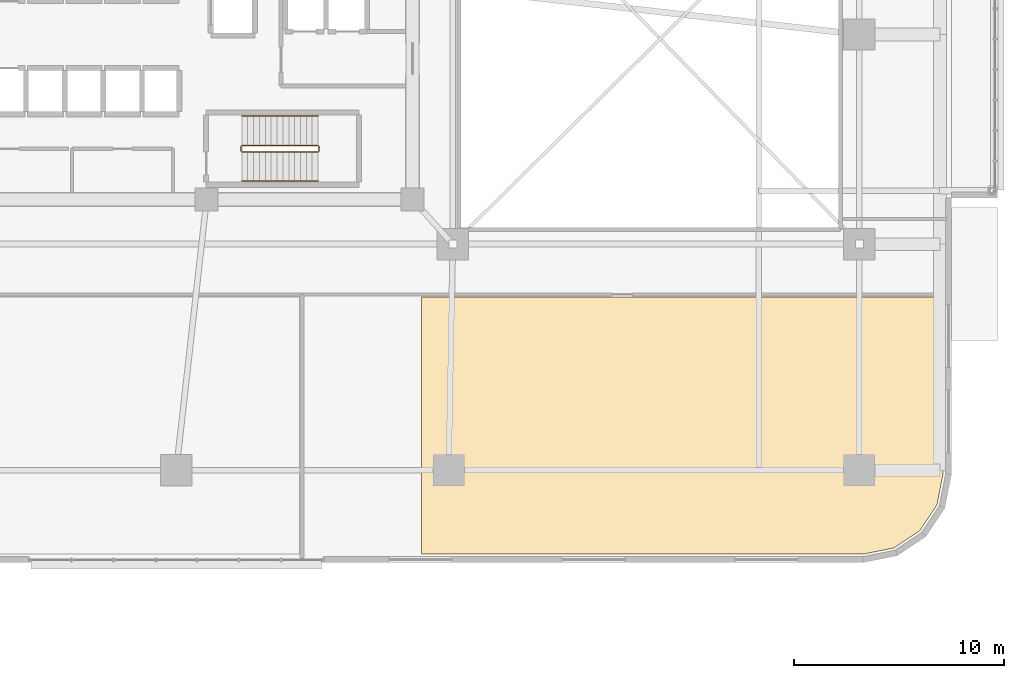
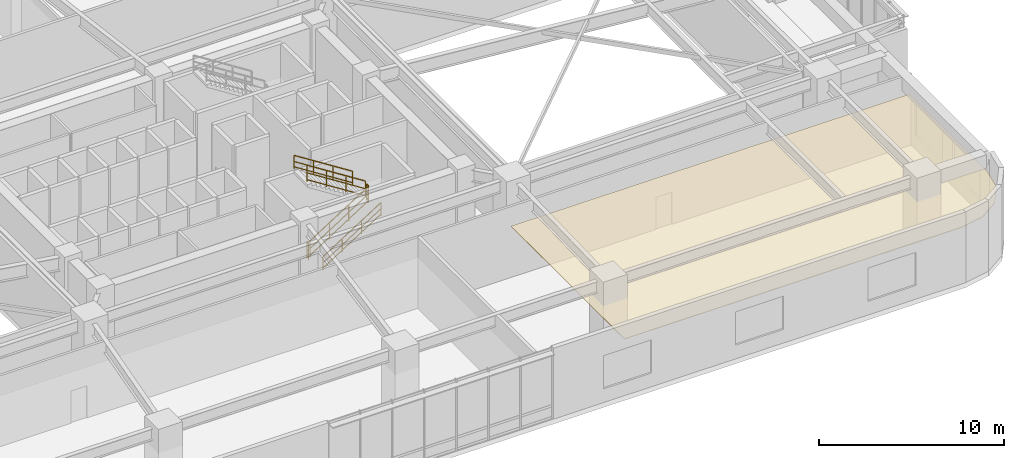
# One storey, part 24 of 26: 6 railings, 1 covering.
"""IFC4 building model written with IfcOpenShell, lengths in metres."""

from ifc_helpers import new_model, si_unit, direction, frame, origin, origin_2d, place, context, subcontext, project, spatial, polyline, rectangle, outline, extrude, material, layer, layer_set, type_object, element, save


model = new_model("IFC4")

# Units and contexts
model_context = context("Model", 3, precision=1e-05, world=origin(), true_north=direction((0.0, 1.0)))
body_context = subcontext(model_context, "Body", "Model", "MODEL_VIEW")
ifc_project = project(units=[si_unit("LENGTHUNIT", "METRE"), si_unit("AREAUNIT", "SQUARE_METRE"), si_unit("VOLUMEUNIT", "CUBIC_METRE"), si_unit("PLANEANGLEUNIT", "RADIAN"), si_unit("MASSUNIT", "GRAM", prefix="KILO")], contexts=[model_context])

# Site, building, storey
site_placement = place(None, origin())
site = spatial("IfcSite", under=ifc_project, at=site_placement, CompositionType="ELEMENT")
building_placement = place(site_placement, origin())
building = spatial("IfcBuilding", under=site, at=building_placement, Name="Zulverin Broadcast Headquarters", CompositionType="ELEMENT")
storey_placement = place(building_placement, frame((0.0, 0.0, 15.0)))
storey = spatial("IfcBuildingStorey", under=building, at=storey_placement, Name="L03", CompositionType="ELEMENT", Elevation=15.0)

# Covering
ifc_material_1 = material(Name="Perforated pale-metal acoustic baffle ceiling", Category="aluminium")
ifc_layer = layer(ifc_material_1, 0.0400390625, Name="Perforated pale-metal acoustic baffle ceiling", Category="aluminium")
ifc_layer_set = layer_set([ifc_layer], Name="Perforated pale-metal acoustic baffle ceiling")
covering_type = type_object("IfcCoveringType", Name="COV-CEIL-ACOU", PredefinedType="CEILING", material=ifc_layer_set)
covering_placement = place(storey_placement, frame((0.0, 0.0, 3.389892578125)))
element("IfcCovering", 1, at=covering_placement, inside=storey, type_object=covering_type, Name="L03 Acoustic Baffle Ceiling 02", PredefinedType="CEILING", context=body_context, shape_type="SweptSolid", body=[
    extrude(outline(polyline([(48.699951171875, 12.679931640625), (48.699951171875, 0.39990234375), (69.760009765625, 0.39990234375), (71.251953125, 0.696044921875), (72.47998046875, 1.52001953125), (73.303955078125, 2.748046875), (73.60009765625, 4.239990234375), (73.60009765625, 12.679931640625), (48.699951171875, 12.679931640625)])), origin(), (0.0, 0.0, 1.0), 0.0400390625),
])

# Railings
ifc_material_2 = material(Name="Painted galvanized steel tubular guardrail S355JR", Category="steel")
railing_type_1 = type_object("IfcRailingType", Name="RL-ST-GUARD", PredefinedType="GUARDRAIL", material=ifc_material_2)
railing_1_placement = place(storey_placement, frame((40.1298828125, 19.60009765625, 0.178466796875)))
element("IfcRailing", 2, at=railing_1_placement, inside=storey, type_object=railing_type_1, Name="L03 ST-2 stair guard 1", PredefinedType="GUARDRAIL", context=body_context, shape_type="SweptSolid", body=[
    extrude(rectangle(XDim=0.048095703125, YDim=0.048095703125, at=origin_2d()), frame((0.0, 0.0, 1.076171875), z_axis=(0.843127859045, 0.0, 0.537713132908), x_axis=(0.0, 1.0, 0.0)), (0.0, 0.0, 1.0), 4.3173828125),
    extrude(rectangle(XDim=0.0419921875, YDim=0.0419921875, at=origin_2d()), frame((0.0, 0.0, 0.572021484375), z_axis=(0.843127859045, 0.0, 0.537713132908), x_axis=(0.0, 1.0, 0.0)), (0.0, 0.0, 1.0), 4.3173828125),
    extrude(rectangle(XDim=0.0419921875, YDim=0.0419921875, at=origin_2d()), frame((0.0, 0.0, 0.1201171875), z_axis=(0.843127859045, 0.0, 0.537713132908), x_axis=(0.0, 1.0, 0.0)), (0.0, 0.0, 1.0), 4.3173828125),
    extrude(rectangle(XDim=0.0419921875, YDim=0.0419921875, at=origin_2d()), origin(), (0.0, 0.0, 1.0), 1.052001953125),
    extrude(rectangle(XDim=0.0419921875, YDim=0.0419921875, at=origin_2d()), frame((1.21337890625, 0.0, 0.77392578125)), (0.0, 0.0, 1.0), 1.052001953125),
    extrude(rectangle(XDim=0.0419921875, YDim=0.0419921875, at=origin_2d()), frame((2.4267578125, 0.0, 1.547607421875)), (0.0, 0.0, 1.0), 1.052001953125),
    extrude(rectangle(XDim=0.0419921875, YDim=0.0419921875, at=origin_2d()), frame((3.64013671875, 0.0, 2.321533203125)), (0.0, 0.0, 1.0), 1.052001953125),
])
railing_2_placement = place(storey_placement, frame((43.820068359375, 19.64990234375, 2.5)))
element("IfcRailing", 3, at=railing_2_placement, inside=storey, type_object=railing_type_1, Name="L03 ST-2 stair guard 2", PredefinedType="GUARDRAIL", context=body_context, shape_type="SweptSolid", body=[
    extrude(rectangle(XDim=0.048095703125, YDim=0.048095703125, at=origin_2d()), frame((0.0, 0.0, 1.076171875), z_axis=(0.0, 1.0, 0.0), x_axis=(-1.0, 0.0, 0.0)), (0.0, 0.0, 1.0), 0.2001953125),
    extrude(rectangle(XDim=0.0419921875, YDim=0.0419921875, at=origin_2d()), frame((0.0, 0.0, 0.572021484375), z_axis=(0.0, 1.0, 0.0), x_axis=(-1.0, 0.0, 0.0)), (0.0, 0.0, 1.0), 0.2001953125),
    extrude(rectangle(XDim=0.0419921875, YDim=0.0419921875, at=origin_2d()), frame((0.0, 0.0, 0.1201171875), z_axis=(0.0, 1.0, 0.0), x_axis=(-1.0, 0.0, 0.0)), (0.0, 0.0, 1.0), 0.2001953125),
    extrude(rectangle(XDim=0.0419921875, YDim=0.0419921875, at=origin_2d()), origin(), (0.0, 0.0, 1.0), 1.052001953125),
    extrude(rectangle(XDim=0.0419921875, YDim=0.0419921875, at=origin_2d()), frame((0.0, 0.2001953125, 0.0)), (0.0, 0.0, 1.0), 1.052001953125),
])
railing_3_placement = place(storey_placement, frame((43.77001953125, 19.89990234375, 2.678466796875)))
element("IfcRailing", 4, at=railing_3_placement, inside=storey, type_object=railing_type_1, Name="L03 ST-2 stair guard 3", PredefinedType="GUARDRAIL", context=body_context, shape_type="SweptSolid", body=[
    extrude(rectangle(XDim=0.048095703125, YDim=0.048095703125, at=origin_2d()), frame((0.0, 0.0, 1.076171875), z_axis=(-0.843127859045, 0.0, 0.537713132908), x_axis=(0.0, -1.0, 0.0)), (0.0, 0.0, 1.0), 4.3173828125),
    extrude(rectangle(XDim=0.0419921875, YDim=0.0419921875, at=origin_2d()), frame((0.0, 0.0, 0.572021484375), z_axis=(-0.843127859045, 0.0, 0.537713132908), x_axis=(0.0, -1.0, 0.0)), (0.0, 0.0, 1.0), 4.3173828125),
    extrude(rectangle(XDim=0.0419921875, YDim=0.0419921875, at=origin_2d()), frame((0.0, 0.0, 0.1201171875), z_axis=(-0.843127859045, 0.0, 0.537713132908), x_axis=(0.0, -1.0, 0.0)), (0.0, 0.0, 1.0), 4.3173828125),
    extrude(rectangle(XDim=0.0419921875, YDim=0.0419921875, at=origin_2d()), origin(), (0.0, 0.0, 1.0), 1.052001953125),
    extrude(rectangle(XDim=0.0419921875, YDim=0.0419921875, at=origin_2d()), frame((-1.21337890625, 0.0, 0.77392578125)), (0.0, 0.0, 1.0), 1.052001953125),
    extrude(rectangle(XDim=0.0419921875, YDim=0.0419921875, at=origin_2d()), frame((-2.4267578125, 0.0, 1.547607421875)), (0.0, 0.0, 1.0), 1.052001953125),
    extrude(rectangle(XDim=0.0419921875, YDim=0.0419921875, at=origin_2d()), frame((-3.64013671875, 0.0, 2.321533203125)), (0.0, 0.0, 1.0), 1.052001953125),
])
railing_4_placement = place(storey_placement, frame((40.080078125, 19.64990234375, 0.0)))
element("IfcRailing", 5, at=railing_4_placement, inside=storey, type_object=railing_type_1, Name="L03 ST-2 stair guard 4", PredefinedType="GUARDRAIL", context=body_context, shape_type="SweptSolid", body=[
    extrude(rectangle(XDim=0.048095703125, YDim=0.048095703125, at=origin_2d()), frame((0.0, 0.0, 1.076171875), z_axis=(0.0, 1.0, 0.0), x_axis=(-1.0, 0.0, 0.0)), (0.0, 0.0, 1.0), 0.2001953125),
    extrude(rectangle(XDim=0.0419921875, YDim=0.0419921875, at=origin_2d()), frame((0.0, 0.0, 0.572021484375), z_axis=(0.0, 1.0, 0.0), x_axis=(-1.0, 0.0, 0.0)), (0.0, 0.0, 1.0), 0.2001953125),
    extrude(rectangle(XDim=0.0419921875, YDim=0.0419921875, at=origin_2d()), frame((0.0, 0.0, 0.1201171875), z_axis=(0.0, 1.0, 0.0), x_axis=(-1.0, 0.0, 0.0)), (0.0, 0.0, 1.0), 0.2001953125),
    extrude(rectangle(XDim=0.0419921875, YDim=0.0419921875, at=origin_2d()), origin(), (0.0, 0.0, 1.0), 1.052001953125),
    extrude(rectangle(XDim=0.0419921875, YDim=0.0419921875, at=origin_2d()), frame((0.0, 0.2001953125, 0.0)), (0.0, 0.0, 1.0), 1.052001953125),
])
ifc_material_3 = material(Name="Brushed stainless steel 48 mm handrail", Category="steel")
railing_type_2 = type_object("IfcRailingType", Name="RL-ST-HAND", PredefinedType="HANDRAIL", material=ifc_material_3)
railing_5_placement = place(storey_placement, frame((40.1298828125, 18.199951171875, 0.178466796875)))
element("IfcRailing", 6, at=railing_5_placement, inside=storey, type_object=railing_type_2, Name="L03 ST-2 stair handrail 1", PredefinedType="HANDRAIL", context=body_context, shape_type="SweptSolid", body=[
    extrude(rectangle(XDim=0.048095703125, YDim=0.048095703125, at=origin_2d()), frame((0.0, 0.0, 0.8759765625), z_axis=(0.843127859045, 0.0, 0.537713132908), x_axis=(0.0, 1.0, 0.0)), (0.0, 0.0, 1.0), 4.3173828125),
    extrude(rectangle(XDim=0.0419921875, YDim=0.0419921875, at=origin_2d()), frame((0.0, 0.0, 0.468017578125), z_axis=(0.843127859045, 0.0, 0.537713132908), x_axis=(0.0, 1.0, 0.0)), (0.0, 0.0, 1.0), 4.3173828125),
    extrude(rectangle(XDim=0.0419921875, YDim=0.0419921875, at=origin_2d()), frame((0.0, 0.0, 0.1201171875), z_axis=(0.843127859045, 0.0, 0.537713132908), x_axis=(0.0, 1.0, 0.0)), (0.0, 0.0, 1.0), 4.3173828125),
    extrude(rectangle(XDim=0.0419921875, YDim=0.0419921875, at=origin_2d()), origin(), (0.0, 0.0, 1.0), 0.851806640625),
    extrude(rectangle(XDim=0.0419921875, YDim=0.0419921875, at=origin_2d()), frame((1.21337890625, 0.0, 0.77392578125)), (0.0, 0.0, 1.0), 0.851806640625),
    extrude(rectangle(XDim=0.0419921875, YDim=0.0419921875, at=origin_2d()), frame((2.4267578125, 0.0, 1.547607421875)), (0.0, 0.0, 1.0), 0.851806640625),
    extrude(rectangle(XDim=0.0419921875, YDim=0.0419921875, at=origin_2d()), frame((3.64013671875, 0.0, 2.321533203125)), (0.0, 0.0, 1.0), 0.851806640625),
])
railing_6_placement = place(storey_placement, frame((43.77001953125, 21.300048828125, 2.678466796875)))
element("IfcRailing", 7, at=railing_6_placement, inside=storey, type_object=railing_type_2, Name="L03 ST-2 stair handrail 2", PredefinedType="HANDRAIL", context=body_context, shape_type="SweptSolid", body=[
    extrude(rectangle(XDim=0.048095703125, YDim=0.048095703125, at=origin_2d()), frame((0.0, 0.0, 0.8759765625), z_axis=(-0.843127859045, 0.0, 0.537713132908), x_axis=(0.0, -1.0, 0.0)), (0.0, 0.0, 1.0), 4.3173828125),
    extrude(rectangle(XDim=0.0419921875, YDim=0.0419921875, at=origin_2d()), frame((0.0, 0.0, 0.468017578125), z_axis=(-0.843127859045, 0.0, 0.537713132908), x_axis=(0.0, -1.0, 0.0)), (0.0, 0.0, 1.0), 4.3173828125),
    extrude(rectangle(XDim=0.0419921875, YDim=0.0419921875, at=origin_2d()), frame((0.0, 0.0, 0.1201171875), z_axis=(-0.843127859045, 0.0, 0.537713132908), x_axis=(0.0, -1.0, 0.0)), (0.0, 0.0, 1.0), 4.3173828125),
    extrude(rectangle(XDim=0.0419921875, YDim=0.0419921875, at=origin_2d()), origin(), (0.0, 0.0, 1.0), 0.851806640625),
    extrude(rectangle(XDim=0.0419921875, YDim=0.0419921875, at=origin_2d()), frame((-1.21337890625, 0.0, 0.77392578125)), (0.0, 0.0, 1.0), 0.851806640625),
    extrude(rectangle(XDim=0.0419921875, YDim=0.0419921875, at=origin_2d()), frame((-2.4267578125, 0.0, 1.547607421875)), (0.0, 0.0, 1.0), 0.851806640625),
    extrude(rectangle(XDim=0.0419921875, YDim=0.0419921875, at=origin_2d()), frame((-3.64013671875, 0.0, 2.321533203125)), (0.0, 0.0, 1.0), 0.851806640625),
])

save(model, "model.ifc")
